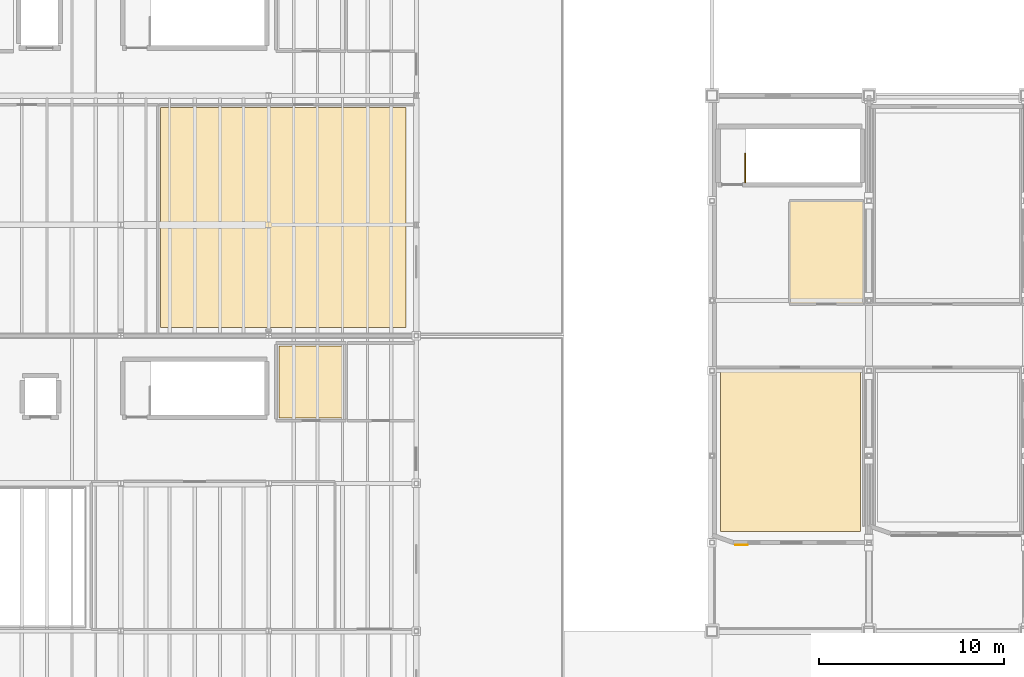
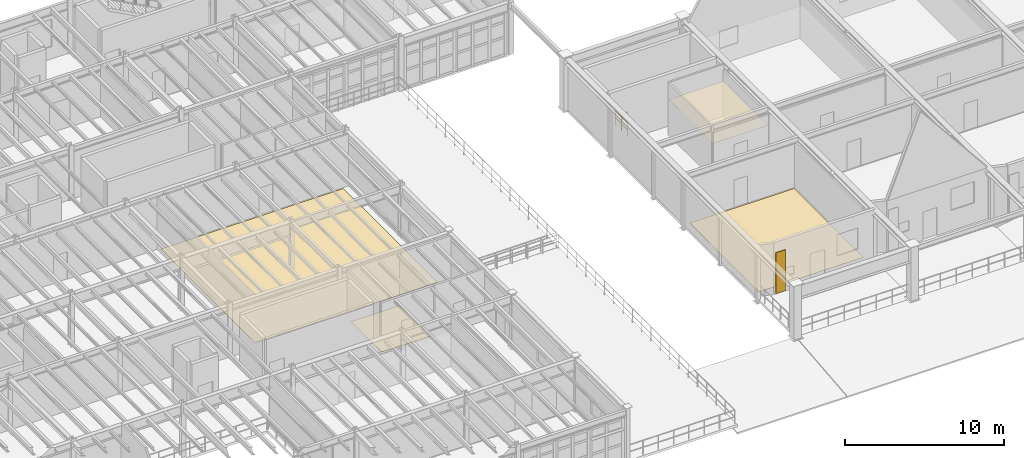
# One storey, part 72 of 78: 5 coverings, 1 railing.
"""IFC4 building model written with IfcOpenShell, lengths in metres."""

from ifc_helpers import new_model, si_unit, direction, frame, frame_2d, origin, origin_2d, place, context, subcontext, project, spatial, polyline, rectangle, circle, outline, extrude, material, layer, layer_set, type_object, element, save


model = new_model("IFC4")

# Units and contexts
model_context = context("Model", 3, precision=1e-05, world=origin(), true_north=direction((0.0, 1.0)))
body_context = subcontext(model_context, "Body", "Model", "MODEL_VIEW")
ifc_project = project(units=[si_unit("LENGTHUNIT", "METRE"), si_unit("AREAUNIT", "SQUARE_METRE"), si_unit("VOLUMEUNIT", "CUBIC_METRE"), si_unit("PLANEANGLEUNIT", "RADIAN"), si_unit("MASSUNIT", "GRAM", prefix="KILO"), si_unit("THERMODYNAMICTEMPERATUREUNIT", "KELVIN"), si_unit("POWERUNIT", "WATT")], contexts=[model_context])

# Site, building, storey
site_placement = place(None, origin())
site = spatial("IfcSite", under=ifc_project, at=site_placement, CompositionType="ELEMENT")
building_placement = place(site_placement, origin())
building = spatial("IfcBuilding", under=site, at=building_placement, Name="Zhenchuan Central Fire Station", CompositionType="ELEMENT")
storey_placement = place(building_placement, frame((0.0, 0.0, 5.85009765625)))
storey = spatial("IfcBuildingStorey", under=building, at=storey_placement, Name="L02", CompositionType="ELEMENT", Elevation=5.85009765625)

# Coverings
ifc_material_1 = material(Name="White standing-seam ribbed aluminium cladding", Category="aluminium")
ifc_layer_1 = layer(ifc_material_1, 0.034912109375, Name="White standing-seam ribbed aluminium cladding", Category="aluminium")
ifc_layer_set_1 = layer_set([ifc_layer_1], Name="White standing-seam ribbed aluminium cladding")
covering_type_1 = type_object("IfcCoveringType", Name="CLD-WHT-MTL", PredefinedType="CLADDING", material=ifc_layer_set_1)
covering_1_placement = place(storey_placement, frame((57.25, 11.172607421875, 0.0498046875), z_axis=(0.0, 0.0, 1.0), x_axis=(1.0, 0.0, 0.0)))
element("IfcCovering", 1, at=covering_1_placement, inside=storey, type_object=covering_type_1, Name="Pavilion H01 White Standing-Seam Ribbed Metal Cladding", PredefinedType="CLADDING", context=body_context, shape_type="SweptSolid", body=[
    extrude(rectangle(XDim=0.699951171875, YDim=0.034912109375, at=frame_2d((0.35009765625, 0.0))), origin(), (0.0, 0.0, 1.0), 3.150146484375),
])
ifc_material_2 = material(Name="Gypsum plasterboard acoustic ceiling", Category="gypsum")
ifc_layer_2 = layer(ifc_material_2, 0.01806640625, Name="Gypsum plasterboard acoustic ceiling", Category="gypsum")
ifc_layer_set_2 = layer_set([ifc_layer_2], Name="Gypsum plasterboard acoustic ceiling")
covering_type_2 = type_object("IfcCoveringType", Name="COV-CEIL-GYP", PredefinedType="CEILING", material=ifc_layer_set_2)
covering_2_placement = place(storey_placement, frame((0.0, 0.0, 2.64990234375)))
element("IfcCovering", 2, at=covering_2_placement, inside=storey, type_object=covering_type_2, Name="Tactical Equipment Study Room Acoustic Ceiling", PredefinedType="CEILING", context=body_context, shape_type="SweptSolid", body=[
    extrude(outline(polyline([(64.199951171875, 24.199951171875), (64.199951171875, 29.800048828125), (60.199951171875, 29.800048828125), (60.199951171875, 24.199951171875), (64.199951171875, 24.199951171875)])), origin(), (0.0, 0.0, 1.0), 0.01806640625),
])
ifc_material_3 = material(Name="Heavy-duty slip-resistant ceramic tile flooring")
ifc_layer_3 = layer(ifc_material_3, 0.014892578125, Name="Heavy-duty slip-resistant ceramic tile flooring")
ifc_layer_set_3 = layer_set([ifc_layer_3], Name="Heavy-duty slip-resistant ceramic tile flooring")
covering_type_3 = type_object("IfcCoveringType", Name="COV-FLR-RES", PredefinedType="FLOORING", material=ifc_layer_set_3)
covering_3_placement = place(storey_placement, origin())
element("IfcCovering", 3, at=covering_3_placement, inside=storey, type_object=covering_type_3, Name="Turnout Readiness Briefing Room Ceramic Tile Flooring", PredefinedType="FLOORING", context=body_context, shape_type="SweptSolid", body=[
    extrude(outline(polyline([(56.449951171875, 11.89990234375), (64.050048828125, 11.89990234375), (64.050048828125, 20.64990234375), (56.449951171875, 20.64990234375), (56.449951171875, 11.89990234375)])), origin(), (0.0, 0.0, 1.0), 0.014892578125),
])
covering_4_placement = place(storey_placement, origin())
element("IfcCovering", 4, at=covering_4_placement, inside=storey, type_object=covering_type_3, Name="Upper Gallery Washroom Ceramic Tile Flooring", PredefinedType="FLOORING", context=body_context, shape_type="SweptSolid", body=[
    extrude(outline(polyline([(32.550048828125, 18.050048828125), (36.050048828125, 18.050048828125), (36.050048828125, 21.949951171875), (32.550048828125, 21.949951171875), (32.550048828125, 18.050048828125)])), origin(), (0.0, 0.0, 1.0), 0.014892578125),
])
covering_5_placement = place(storey_placement, origin())
element("IfcCovering", 5, at=covering_5_placement, inside=storey, type_object=covering_type_3, Name="Flashover Observation Simulator Ceramic Tile Flooring", PredefinedType="FLOORING", context=body_context, shape_type="SweptSolid", body=[
    extrude(outline(polyline([(26.14990234375, 22.949951171875), (39.449951171875, 22.949951171875), (39.449951171875, 34.85009765625), (26.14990234375, 34.85009765625), (26.14990234375, 22.949951171875)])), origin(), (0.0, 0.0, 1.0), 0.014892578125),
])

# Railing
ifc_material_4 = material(Name="Galvanised powder-coated steel", Category="steel")
railing_type = type_object("IfcRailingType", Name="RL-ST-GRD", PredefinedType="GUARDRAIL", material=ifc_material_4)
railing_placement = place(storey_placement, frame((57.800048828125, 30.800048828125, 0.0)))
element("IfcRailing", 6, at=railing_placement, inside=storey, type_object=railing_type, Name="L02 ST-08 top well guard 1", PredefinedType="GUARDRAIL", context=body_context, shape_type="SweptSolid", body=[
    extrude(circle(Radius=0.02392578125, at=origin_2d()), frame((0.0, 0.0, 1.076171875), z_axis=(0.0, 1.0, 0.0), x_axis=(-1.0, 0.0, 0.0)), (0.0, 0.0, 1.0), 1.550048828125),
    extrude(circle(Radius=0.02392578125, at=origin_2d()), frame((0.0, 0.0, 0.550048828125), z_axis=(0.0, 1.0, 0.0), x_axis=(-1.0, 0.0, 0.0)), (0.0, 0.0, 1.0), 1.550048828125),
    extrude(circle(Radius=0.02099609375, at=origin_2d()), origin(), (0.0, 0.0, 1.0), 1.052001953125),
    extrude(circle(Radius=0.02099609375, at=origin_2d()), frame((0.0, 0.77490234375, 0.0)), (0.0, 0.0, 1.0), 1.052001953125),
    extrude(circle(Radius=0.02099609375, at=origin_2d()), frame((0.0, 1.550048828125, 0.0)), (0.0, 0.0, 1.0), 1.052001953125),
])

save(model, "model.ifc")
